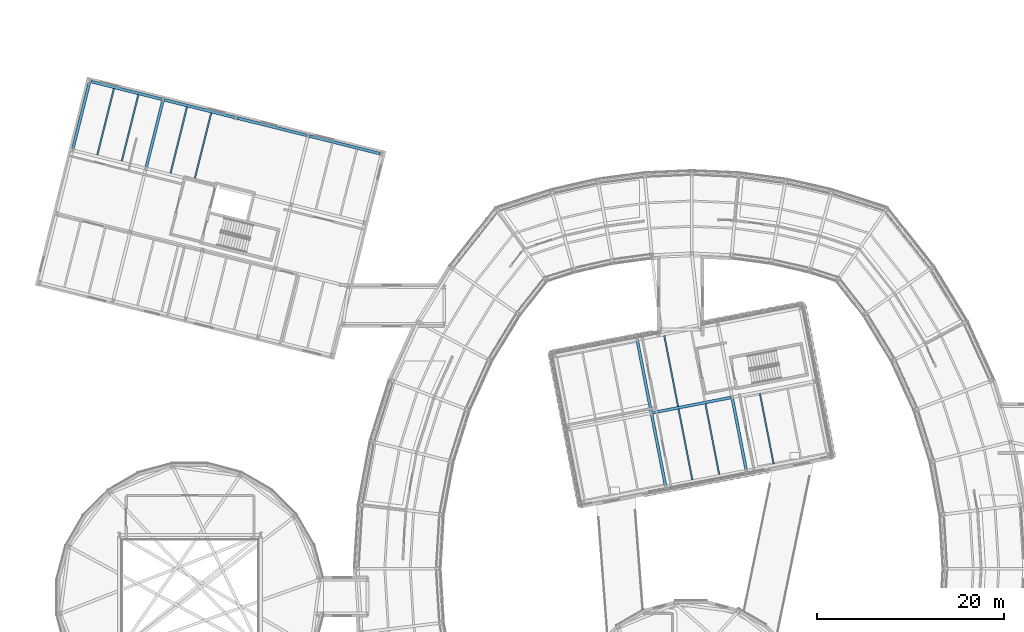
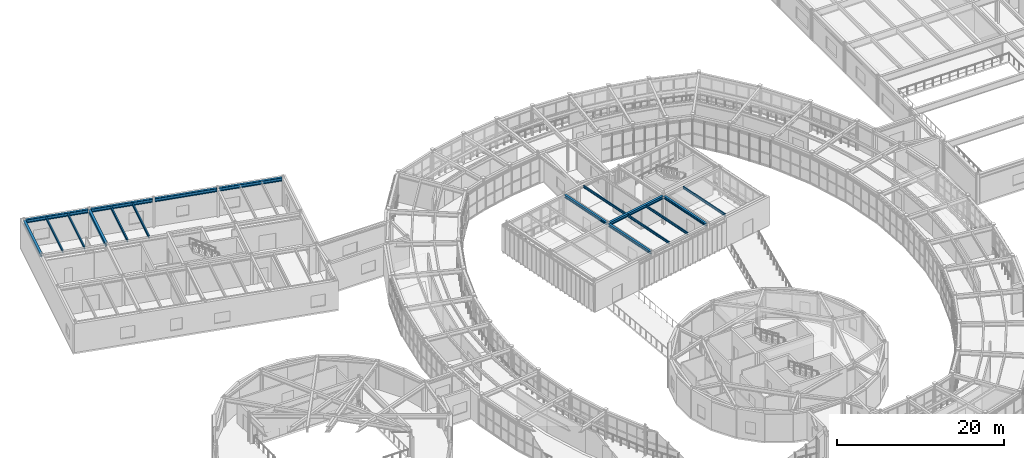
# One storey, part 44 of 103: 18 beams.
"""IFC4 building model written with IfcOpenShell, lengths in metres."""

from ifc_helpers import new_model, si_unit, direction, frame, origin, origin_2d, place, context, subcontext, project, spatial, i_section, extrude, material, material_profile, profile_set, type_object, element, save


model = new_model("IFC4")

# Units and contexts
model_context = context("Model", 3, precision=1e-05, world=origin(), true_north=direction((0.0, 1.0)))
body_context = subcontext(model_context, "Body", "Model", "MODEL_VIEW")
ifc_project = project(units=[si_unit("LENGTHUNIT", "METRE"), si_unit("AREAUNIT", "SQUARE_METRE"), si_unit("VOLUMEUNIT", "CUBIC_METRE"), si_unit("PLANEANGLEUNIT", "RADIAN"), si_unit("MASSUNIT", "GRAM", prefix="KILO")], contexts=[model_context])

# Site, building, storey
site_placement = place(None, origin())
site = spatial("IfcSite", under=ifc_project, at=site_placement, CompositionType="ELEMENT")
building_placement = place(site_placement, origin())
building = spatial("IfcBuilding", under=site, at=building_placement, Name="Varnklinge Art Gallery", CompositionType="ELEMENT")
storey_placement = place(building_placement, frame((0.0, 0.0, 5.10009765625)))
storey = spatial("IfcBuildingStorey", under=building, at=storey_placement, Name="L01", CompositionType="ELEMENT", Elevation=5.10009765625)

# Beams
ifc_material_1 = material(Name="Steel S355", Category="steel")
ifc_material_profile_1 = material_profile(ifc_material_1, i_section(OverallWidth=0.300048828125, OverallDepth=0.489990234375, WebThickness=0.011962890625, FlangeThickness=0.02294921875, FilletRadius=0.027099609375, at=origin_2d()), Name="HEA 500")
ifc_profile_set_1 = profile_set([ifc_material_profile_1], Name="Steel S355")
beam_type_1 = type_object("IfcBeamType", Name="BM-07", PredefinedType="BEAM", material=ifc_profile_set_1)
beam_1_placement = place(storey_placement, frame((11.199462890625, 107.13134765625, 3.934814453125), z_axis=(0.970294736921, -0.241925863651, 0.0), x_axis=(0.241925863651, 0.970294736921, 0.0)))
element("IfcBeam", 1, at=beam_1_placement, inside=storey, type_object=beam_type_1, Name="L01 BM-07 BM-V5-L02-U3-0", PredefinedType="BEAM", context=body_context, shape_type="SweptSolid", body=[
    extrude(i_section(OverallWidth=0.300048828125, OverallDepth=0.489990234375, WebThickness=0.011962890625, FlangeThickness=0.02294921875, FilletRadius=0.027099609375, at=origin_2d()), origin(), (0.0, 0.0, 1.0), 7.81982421875),
])
beam_2_placement = place(storey_placement, frame((19.058837890625, 105.171875, 3.934814453125), z_axis=(0.970294848706, -0.241925415312, 0.0), x_axis=(0.241925415312, 0.970294848706, 0.0)))
element("IfcBeam", 2, at=beam_2_placement, inside=storey, type_object=beam_type_1, Name="L01 BM-07 BM-V5-L02-U3-1", PredefinedType="BEAM", context=body_context, shape_type="SweptSolid", body=[
    extrude(i_section(OverallWidth=0.300048828125, OverallDepth=0.489990234375, WebThickness=0.011962890625, FlangeThickness=0.02294921875, FilletRadius=0.027099609375, at=origin_2d()), origin(), (0.0, 0.0, 1.0), 7.719970703125),
])
beam_3_placement = place(storey_placement, frame((26.821044921875, 103.236328125, 3.934814453125), z_axis=(0.970304122122, -0.241888219213, 0.0), x_axis=(0.241888219213, 0.970304122122, 0.0)))
element("IfcBeam", 3, at=beam_3_placement, inside=storey, type_object=beam_type_1, Name="L01 BM-07 BM-V5-L02-U3-2", PredefinedType="BEAM", context=body_context, shape_type="SweptSolid", body=[
    extrude(i_section(OverallWidth=0.300048828125, OverallDepth=0.489990234375, WebThickness=0.011962890625, FlangeThickness=0.02294921875, FilletRadius=0.027099609375, at=origin_2d()), origin(), (0.0, 0.0, 1.0), 7.72021484375),
])
beam_4_placement = place(storey_placement, frame((34.58349609375, 101.301025390625, 3.934814453125), z_axis=(0.970296564102, -0.241918535239, 0.0), x_axis=(0.241918535239, 0.970296564102, 0.0)))
element("IfcBeam", 4, at=beam_4_placement, inside=storey, type_object=beam_type_1, Name="L01 BM-07 BM-V5-L02-U3-3", PredefinedType="BEAM", context=body_context, shape_type="SweptSolid", body=[
    extrude(i_section(OverallWidth=0.300048828125, OverallDepth=0.489990234375, WebThickness=0.011962890625, FlangeThickness=0.02294921875, FilletRadius=0.027099609375, at=origin_2d()), origin(), (0.0, 0.0, 1.0), 7.820068359375),
])
ifc_material_2 = material(Name="Steel S355", Category="steel")
ifc_material_profile_2 = material_profile(ifc_material_2, i_section(OverallWidth=0.300048828125, OverallDepth=0.43994140625, WebThickness=0.011474609375, FlangeThickness=0.02099609375, FilletRadius=0.027099609375, at=origin_2d()), Name="HEA 450")
ifc_profile_set_2 = profile_set([ifc_material_profile_2], Name="Steel S355")
beam_type_2 = type_object("IfcBeamType", Name="BM-08", PredefinedType="BEAM", material=ifc_profile_set_2)
beam_5_placement = place(storey_placement, frame((71.318115234375, 71.68701171875, 3.97998046875), z_axis=(0.981622248906, 0.19083437964, 0.0), x_axis=(-0.19083437964, 0.981622248906, 0.0)))
element("IfcBeam", 5, at=beam_5_placement, inside=storey, type_object=beam_type_2, Name="L01 BM-08 BM-V4B-L02-U1-1", PredefinedType="BEAM", context=body_context, shape_type="SweptSolid", body=[
    extrude(i_section(OverallWidth=0.300048828125, OverallDepth=0.43994140625, WebThickness=0.011474609375, FlangeThickness=0.02099609375, FilletRadius=0.027099609375, at=origin_2d()), origin(), (0.0, 0.0, 1.0), 8.520263671875),
])
for number, where, z_axis, x_axis, name in (
    (6, (9.2587890625, 99.9267578125, 3.9599609375), (0.241939157724, 0.970291422182, 0.0), (-0.970291422182, 0.241939157724, 0.0), "L01 BM-08 BM-V5-L02-V0-2"),
    (7, (17.118408203125, 97.96728515625, 3.9599609375), (0.241907757102, 0.97029925129, 0.0), (-0.97029925129, 0.241907757102, 0.0), "L01 BM-08 BM-V5-L02-V1-2"),
):
    element("IfcBeam", number, at=place(storey_placement, frame(where, z_axis=z_axis, x_axis=x_axis)), inside=storey, type_object=beam_type_2, Name=name, PredefinedType="BEAM", context=body_context, shape_type="SweptSolid", body=[
        extrude(i_section(OverallWidth=0.300048828125, OverallDepth=0.43994140625, WebThickness=0.011474609375, FlangeThickness=0.02099609375, FilletRadius=0.027099609375, at=origin_2d()), origin(), (0.0, 0.0, 1.0), 7.320068359375),
    ])
ifc_material_3 = material(Name="Steel S355", Category="steel")
ifc_material_profile_3 = material_profile(ifc_material_3, i_section(OverallWidth=0.300048828125, OverallDepth=0.389892578125, WebThickness=0.010986328125, FlangeThickness=0.01904296875, FilletRadius=0.027099609375, at=origin_2d()), Name="HEA 400")
ifc_profile_set_3 = profile_set([ifc_material_profile_3], Name="Steel S355")
beam_type_3 = type_object("IfcBeamType", Name="BM-09", PredefinedType="BEAM", material=ifc_profile_set_3)
beam_6_placement = place(storey_placement, frame((72.6806640625, 63.94482421875, 4.0048828125), z_axis=(-0.190822257393, 0.98162460548, 0.0), x_axis=(-0.98162460548, -0.190822257393, 0.0)))
element("IfcBeam", 8, at=beam_6_placement, inside=storey, type_object=beam_type_3, Name="L01 BM-09 BM-V4B-L02-V1-0", PredefinedType="BEAM", context=body_context, shape_type="SweptSolid", body=[
    extrude(i_section(OverallWidth=0.300048828125, OverallDepth=0.389892578125, WebThickness=0.010986328125, FlangeThickness=0.01904296875, FilletRadius=0.027099609375, at=origin_2d()), origin(), (0.0, 0.0, 1.0), 7.719970703125),
])
for number, where, z_axis, x_axis, name in (
    (9, (71.154052734375, 71.7978515625, 4.0048828125), (-0.190785861445, 0.981631679946, 0.0), (-0.981631679946, -0.190785861445, 0.0), "L01 BM-09 BM-V4B-L02-V1-1"),
    (10, (81.31884765625, 65.623779296875, 4.0048828125), (-0.190785861445, 0.981631679946, 0.0), (-0.981631679946, -0.190785861445, 0.0), "L01 BM-09 BM-V4B-L02-V2-0"),
):
    element("IfcBeam", number, at=place(storey_placement, frame(where, z_axis=z_axis, x_axis=x_axis)), inside=storey, type_object=beam_type_3, Name=name, PredefinedType="BEAM", context=body_context, shape_type="SweptSolid", body=[
        extrude(i_section(OverallWidth=0.300048828125, OverallDepth=0.389892578125, WebThickness=0.010986328125, FlangeThickness=0.01904296875, FilletRadius=0.027099609375, at=origin_2d()), origin(), (0.0, 0.0, 1.0), 7.72021484375),
    ])
ifc_material_4 = material(Name="Steel S355", Category="steel")
ifc_material_profile_4 = material_profile(ifc_material_4, i_section(OverallWidth=0.169921875, OverallDepth=0.360107421875, WebThickness=0.008056640625, FlangeThickness=0.0126953125, FilletRadius=0.01806640625, at=origin_2d()), Name="IPE 360")
ifc_profile_set_4 = profile_set([ifc_material_profile_4], Name="Steel S355")
beam_type_4 = type_object("IfcBeamType", Name="JST-06", PredefinedType="JOIST", material=ifc_profile_set_4)
for number, where, z_axis, x_axis, name in (
    (11, (11.878662109375, 99.273681640625, 4.0), (0.241907757102, 0.97029925129, 0.0), (-0.97029925129, 0.241907757102, 0.0), "L01 JST-06 JST-V5-L02-0-2-1"),
    (12, (14.49853515625, 98.620361328125, 4.0), (0.241907757102, 0.97029925129, 0.0), (-0.97029925129, 0.241907757102, 0.0), "L01 JST-06 JST-V5-L02-0-2-2"),
    (13, (19.705810546875, 97.322021484375, 4.0), (0.241899928684, 0.970301202979, 0.0), (-0.970301202979, 0.241899928684, 0.0), "L01 JST-06 JST-V5-L02-1-2-1"),
    (14, (22.293212890625, 96.677001953125, 4.0), (0.241907757102, 0.97029925129, 0.0), (-0.97029925129, 0.241907757102, 0.0), "L01 JST-06 JST-V5-L02-1-2-2"),
):
    element("IfcBeam", number, at=place(storey_placement, frame(where, z_axis=z_axis, x_axis=x_axis)), inside=storey, type_object=beam_type_4, Name=name, PredefinedType="JOIST", context=body_context, shape_type="SweptSolid", body=[
        extrude(i_section(OverallWidth=0.169921875, OverallDepth=0.360107421875, WebThickness=0.008056640625, FlangeThickness=0.0126953125, FilletRadius=0.01806640625, at=origin_2d()), origin(), (0.0, 0.0, 1.0), 7.320068359375),
    ])
ifc_material_5 = material(Name="Steel S355", Category="steel")
ifc_material_profile_5 = material_profile(ifc_material_5, i_section(OverallWidth=0.159912109375, OverallDepth=0.330078125, WebThickness=0.007568359375, FlangeThickness=0.011474609375, FilletRadius=0.01806640625, at=origin_2d()), Name="IPE 330")
ifc_profile_set_5 = profile_set([ifc_material_profile_5], Name="Steel S355")
beam_type_5 = type_object("IfcBeamType", Name="JST-07", PredefinedType="JOIST", material=ifc_profile_set_5)
beam_7_placement = place(storey_placement, frame((75.56005859375, 64.50439453125, 4.034912109375), z_axis=(-0.190816333803, 0.981625756974, 0.0), x_axis=(-0.981625756974, -0.190816333803, 0.0)))
element("IfcBeam", 15, at=beam_7_placement, inside=storey, type_object=beam_type_5, Name="L01 JST-07 JST-V4B-L02-1-0-1", PredefinedType="JOIST", context=body_context, shape_type="SweptSolid", body=[
    extrude(i_section(OverallWidth=0.159912109375, OverallDepth=0.330078125, WebThickness=0.007568359375, FlangeThickness=0.011474609375, FilletRadius=0.01806640625, at=origin_2d()), origin(), (0.0, 0.0, 1.0), 7.72021484375),
])
for number, where, z_axis, x_axis, name in (
    (16, (78.439453125, 65.064208984375, 4.034912109375), (-0.190822257393, 0.98162460548, 0.0), (-0.98162460548, -0.190822257393, 0.0), "L01 JST-07 JST-V4B-L02-1-0-2"),
    (17, (74.03369140625, 72.357666015625, 4.034912109375), (-0.190822257393, 0.98162460548, 0.0), (-0.98162460548, -0.190822257393, 0.0), "L01 JST-07 JST-V4B-L02-1-1-1"),
):
    element("IfcBeam", number, at=place(storey_placement, frame(where, z_axis=z_axis, x_axis=x_axis)), inside=storey, type_object=beam_type_5, Name=name, PredefinedType="JOIST", context=body_context, shape_type="SweptSolid", body=[
        extrude(i_section(OverallWidth=0.159912109375, OverallDepth=0.330078125, WebThickness=0.007568359375, FlangeThickness=0.011474609375, FilletRadius=0.01806640625, at=origin_2d()), origin(), (0.0, 0.0, 1.0), 7.719970703125),
    ])
beam_8_placement = place(storey_placement, frame((84.263916015625, 66.1962890625, 4.034912109375), z_axis=(-0.190816333803, 0.981625756974, 0.0), x_axis=(-0.981625756974, -0.190816333803, 0.0)))
element("IfcBeam", 18, at=beam_8_placement, inside=storey, type_object=beam_type_5, Name="L01 JST-07 JST-V4B-L02-2-0-1", PredefinedType="JOIST", context=body_context, shape_type="SweptSolid", body=[
    extrude(i_section(OverallWidth=0.159912109375, OverallDepth=0.330078125, WebThickness=0.007568359375, FlangeThickness=0.011474609375, FilletRadius=0.01806640625, at=origin_2d()), origin(), (0.0, 0.0, 1.0), 7.72021484375),
])

save(model, "model.ifc")
